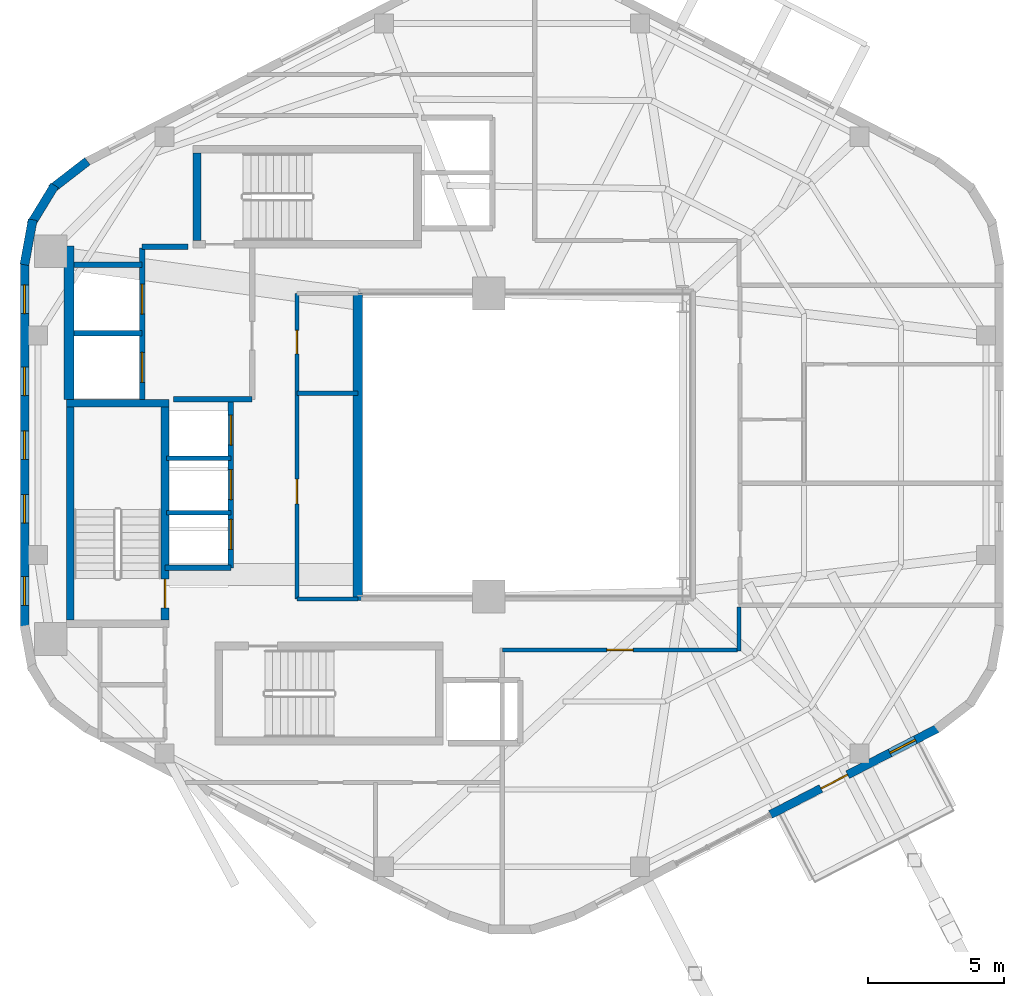
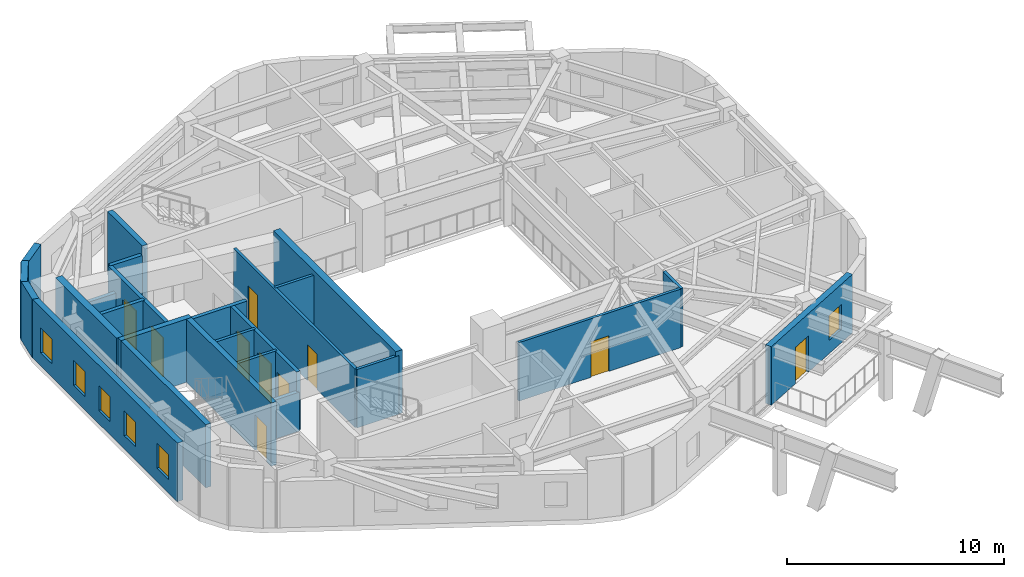
# One storey, part 7 of 10: 25 walls, 10 doors, 6 windows, 16 openings.
"""IFC4 building model written with IfcOpenShell, lengths in metres."""

from ifc_helpers import new_model, si_unit, direction, frame, frame_2d, origin, place, context, subcontext, project, spatial, rectangle, extrude, material, layer, layer_set, type_object, element, fill, save


model = new_model("IFC4")

# Units and contexts
model_context = context("Model", 3, precision=1e-05, world=origin(), true_north=direction((0.0, 1.0)))
body_context = subcontext(model_context, "Body", "Model", "MODEL_VIEW")
ifc_project = project(units=[si_unit("LENGTHUNIT", "METRE"), si_unit("AREAUNIT", "SQUARE_METRE"), si_unit("VOLUMEUNIT", "CUBIC_METRE"), si_unit("PLANEANGLEUNIT", "RADIAN"), si_unit("MASSUNIT", "GRAM", prefix="KILO"), si_unit("THERMODYNAMICTEMPERATUREUNIT", "KELVIN"), si_unit("POWERUNIT", "WATT")], contexts=[model_context])

# Site, building, storey
site_placement = place(None, origin())
site = spatial("IfcSite", under=ifc_project, at=site_placement, CompositionType="ELEMENT")
building_placement = place(site_placement, origin())
building = spatial("IfcBuilding", under=site, at=building_placement, Name="Skarre Station Tower", CompositionType="ELEMENT")
storey_placement = place(building_placement, frame((0.0, 0.0, 224.14990234375)))
storey = spatial("IfcBuildingStorey", under=building, at=storey_placement, Name="L61", CompositionType="ELEMENT", Elevation=224.14990234375)

# Wall
ifc_material_1 = material(Name="Acoustic Steel-Stud Gypsum Partition", Category="steel")
ifc_layer_1 = layer(ifc_material_1, 0.14990234375, Name="Acoustic Steel-Stud Gypsum Partition")
ifc_layer_set_1 = layer_set([ifc_layer_1], Name="Acoustic Steel-Stud Gypsum Partition")
wall_type_1 = type_object("IfcWallType", Name="Fire-Rated Corridor Acoustic Partition 150", PredefinedType="PARTITIONING", material=ifc_layer_set_1)
wall_1_placement = place(storey_placement, frame((25.320068359375, 25.89990234375, 0.0), z_axis=(0.0, 0.0, 1.0), x_axis=(1.0, 0.0, 0.0)))
element("IfcWall", 1, at=wall_1_placement, inside=storey, type_object=wall_type_1, Name="L61 Interior Partition WL-PT-L61-RC2-M", PredefinedType="PARTITIONING", context=body_context, shape_type="SweptSolid", body=[
    extrude(rectangle(XDim=2.22998046875, YDim=0.14990234375, at=frame_2d((1.114990234375, 0.0))), origin(), (0.0, 0.0, 1.0), 3.2900390625),
])

# Wall, openings, doors
wall_2_placement = place(storey_placement, frame((25.320068359375, 29.550048828125, 0.0), z_axis=(0.0, 0.0, 1.0), x_axis=(0.0, -1.0, 0.0)))
wall_2 = element("IfcWall", 2, at=wall_2_placement, inside=storey, type_object=wall_type_1, Name="L61 Interior Partition WL-PT-L61-RC2-W", PredefinedType="PARTITIONING", context=body_context, shape_type="SweptSolid", body=[
    extrude(rectangle(XDim=11.18994140625, YDim=0.14990234375, at=frame_2d((5.594970703125, 0.0))), origin(), (0.0, 0.0, 1.0), 3.2900390625),
])
opening_1_placement = place(wall_2_placement, frame((1.35009765625, 0.0, 0.0)))
opening_1 = element("IfcOpeningElement", 3, at=opening_1_placement, cuts=wall_2, Name="Opening DR-SVC86", PredefinedType="OPENING", context=body_context, shape_type="SweptSolid", body=[
    extrude(rectangle(XDim=0.860107421875, YDim=2.0, at=frame_2d((0.43017578125, 1.0))), frame((0.0, 0.0849609375, 0.0), z_axis=(0.0, -1.0, 0.0), x_axis=(1.0, 0.0, 0.0)), (0.0, 0.0, 1.0), 0.169921875),
])
opening_2_placement = place(wall_2_placement, frame((6.800048828125, 0.0, 0.0)))
opening_2 = element("IfcOpeningElement", 4, at=opening_2_placement, cuts=wall_2, Name="Opening DR-SVC90", PredefinedType="OPENING", context=body_context, shape_type="SweptSolid", body=[
    extrude(rectangle(XDim=0.89990234375, YDim=2.0, at=frame_2d((0.449951171875, 1.0))), frame((0.0, 0.0849609375, 0.0), z_axis=(0.0, -1.0, 0.0), x_axis=(1.0, 0.0, 0.0)), (0.0, 0.0, 1.0), 0.169921875),
])
ifc_material_2 = material(Name="Powder-Coated Hollow-Metal Acoustic Fire Leaf", Category="steel")
door_type_1 = type_object("IfcDoorType", Name="Compact Riser Fire Door FD60 860x2100", OperationType="SINGLE_SWING_LEFT", PredefinedType="DOOR", material=ifc_material_2)
door_1_placement = place(opening_1_placement, origin())
door_1 = element("IfcDoor", 5, at=door_1_placement, inside=storey, type_object=door_type_1, Name="L61 Music Alcove Door", OperationType="SINGLE_SWING_LEFT", OverallHeight=2.0, OverallWidth=0.860107421875, PredefinedType="DOOR", context=body_context, shape_type="SweptSolid", body=[
    extrude(rectangle(XDim=0.860107421875, YDim=2.0, at=frame_2d((0.43017578125, 1.0))), frame((0.0, 0.02490234375, 0.0), z_axis=(0.0, -1.0, 0.0), x_axis=(1.0, 0.0, 0.0)), (0.0, 0.0, 1.0), 0.050048828125),
])
fill(opening_1, door_1)
door_type_2 = type_object("IfcDoorType", Name="Service & Riser Fire Door FD60 900x2100", OperationType="SINGLE_SWING_LEFT", PredefinedType="DOOR", material=ifc_material_2)
door_2_placement = place(opening_2_placement, origin())
door_2 = element("IfcDoor", 6, at=door_2_placement, inside=storey, type_object=door_type_2, Name="L61 Tasting Pantry Door", OperationType="SINGLE_SWING_LEFT", OverallHeight=2.0, OverallWidth=0.89990234375, PredefinedType="DOOR", context=body_context, shape_type="SweptSolid", body=[
    extrude(rectangle(XDim=0.89990234375, YDim=2.0, at=frame_2d((0.449951171875, 1.0))), frame((0.0, 0.02490234375, 0.0), z_axis=(0.0, -1.0, 0.0), x_axis=(1.0, 0.0, 0.0)), (0.0, 0.0, 1.0), 0.050048828125),
])
fill(opening_2, door_2)

# Walls
wall_3_placement = place(storey_placement, frame((25.320068359375, 18.360107421875, 0.0), z_axis=(0.0, 0.0, 1.0), x_axis=(1.0, 0.0, 0.0)))
element("IfcWall", 7, at=wall_3_placement, inside=storey, type_object=wall_type_1, Name="L61 Interior Partition WL-PT-L61-RC2-S", PredefinedType="PARTITIONING", context=body_context, shape_type="SweptSolid", body=[
    extrude(rectangle(XDim=2.22998046875, YDim=0.14990234375, at=frame_2d((1.114990234375, 0.0))), origin(), (0.0, 0.0, 1.0), 3.2900390625),
])
wall_4_placement = place(storey_placement, frame((41.52001953125, 16.4599609375, 0.0), z_axis=(0.0, 0.0, 1.0), x_axis=(0.0, 1.0, 0.0)))
element("IfcWall", 8, at=wall_4_placement, inside=storey, type_object=wall_type_1, Name="L61 Interior Partition WL-PT-L61-CORR-SER", PredefinedType="PARTITIONING", context=body_context, shape_type="SweptSolid", body=[
    extrude(rectangle(XDim=1.60205078125, YDim=0.14990234375, at=frame_2d((0.801025390625, 0.0))), origin(), (0.0, 0.0, 1.0), 3.2900390625),
])

# Wall, opening, door
wall_5_placement = place(storey_placement, frame((32.85009765625, 16.5, 0.0), z_axis=(0.0, 0.0, 1.0), x_axis=(1.0, 0.0, 0.0)))
wall_5 = element("IfcWall", 9, at=wall_5_placement, inside=storey, type_object=wall_type_1, Name="L61 Interior Partition WL-PT-L61-SW1-CW", PredefinedType="PARTITIONING", context=body_context, shape_type="SweptSolid", body=[
    extrude(rectangle(XDim=8.60986328125, YDim=0.14990234375, at=frame_2d((4.304931640625, 0.0))), origin(), (0.0, 0.0, 1.0), 3.2900390625),
])
opening_3_placement = place(wall_5_placement, frame((3.824951171875, 0.0, 0.0)))
opening_3 = element("IfcOpeningElement", 10, at=opening_3_placement, cuts=wall_5, Name="Opening DR-FD60", PredefinedType="OPENING", context=body_context, shape_type="SweptSolid", body=[
    extrude(rectangle(XDim=0.9599609375, YDim=2.0, at=frame_2d((0.47998046875, 1.0))), frame((0.0, 0.0849609375, 0.0), z_axis=(0.0, -1.0, 0.0), x_axis=(1.0, 0.0, 0.0)), (0.0, 0.0, 1.0), 0.169921875),
])
ifc_material_3 = material(Name="Nordic White-Oak Veneer Solid-Core Fire Leaf", Category="wood")
door_type_3 = type_object("IfcDoorType", Name="Corridor Suite Entry Fire Door FD60 960x2150", OperationType="SINGLE_SWING_LEFT", PredefinedType="DOOR", material=ifc_material_3)
door_3_placement = place(opening_3_placement, origin())
door_3 = element("IfcDoor", 11, at=door_3_placement, inside=storey, type_object=door_type_3, Name="L61 SW1 Entry Door", OperationType="SINGLE_SWING_LEFT", OverallHeight=2.0, OverallWidth=0.9599609375, PredefinedType="DOOR", context=body_context, shape_type="SweptSolid", body=[
    extrude(rectangle(XDim=0.9599609375, YDim=2.0, at=frame_2d((0.47998046875, 1.0))), frame((0.0, 0.02490234375, 0.0), z_axis=(0.0, -1.0, 0.0), x_axis=(1.0, 0.0, 0.0)), (0.0, 0.0, 1.0), 0.050048828125),
])
fill(opening_3, door_3)

# Walls
ifc_material_4 = material(Name="Precast concrete C45/55", Category="concrete")
ifc_layer_2 = layer(ifc_material_4, 0.330078125, Name="Precast concrete C45/55")
ifc_layer_set_2 = layer_set([ifc_layer_2], Name="Precast concrete C45/55")
wall_type_2 = type_object("IfcWallType", Name="Nordic Rounded Corner Precast Wall 330", PredefinedType="STANDARD", material=ifc_layer_set_2)
wall_6_placement = place(storey_placement, frame((15.337890625, 30.60791015625, 0.0), z_axis=(0.0, 0.0, 1.0), x_axis=(0.180832605401, 0.983513888475, 0.0)))
element("IfcWall", 12, at=wall_6_placement, inside=storey, type_object=wall_type_2, Name="L61 Rounded Corner Precast Wall F2-1", PredefinedType="STANDARD", context=body_context, shape_type="SweptSolid", body=[
    extrude(rectangle(XDim=1.6767578125, YDim=0.330078125, at=frame_2d((0.83837890625, 0.0))), origin(), (0.0, 0.0, 1.0), 3.2900390625),
])
wall_7_placement = place(storey_placement, frame((15.573974609375, 32.08203125, 0.0), z_axis=(0.0, 0.0, 1.0), x_axis=(0.520325409202, 0.853968072318, 0.0)))
element("IfcWall", 13, at=wall_7_placement, inside=storey, type_object=wall_type_2, Name="L61 Rounded Corner Precast Wall F2-2", PredefinedType="STANDARD", context=body_context, shape_type="SweptSolid", body=[
    extrude(rectangle(XDim=1.677978515625, YDim=0.330078125, at=frame_2d((0.8388671875, 0.0))), origin(), (0.0, 0.0, 1.0), 3.2900390625),
])
wall_8_placement = place(storey_placement, frame((16.322021484375, 33.375, 0.0), z_axis=(0.0, 0.0, 1.0), x_axis=(0.790691856293, 0.61221433207, 0.0)))
element("IfcWall", 14, at=wall_8_placement, inside=storey, type_object=wall_type_2, Name="L61 Rounded Corner Precast Wall F2-3", PredefinedType="STANDARD", context=body_context, shape_type="SweptSolid", body=[
    extrude(rectangle(XDim=1.67578125, YDim=0.330078125, at=frame_2d((0.837890625, 0.0))), origin(), (0.0, 0.0, 1.0), 3.2900390625),
])

# Wall, openings, windows
ifc_layer_3 = layer(ifc_material_4, 0.31005859375, Name="Precast concrete C45/55")
ifc_layer_set_3 = layer_set([ifc_layer_3], Name="Precast concrete C45/55")
wall_type_3 = type_object("IfcWallType", Name="Nordic Upper-Zone Precast Facet Wall 310", PredefinedType="STANDARD", material=ifc_layer_set_3)
wall_9_placement = place(storey_placement, frame((15.342041015625, 17.298095703125, 0.0), z_axis=(0.0, 0.0, 1.0), x_axis=(0.0, 1.0, 0.0)))
wall_9 = element("IfcWall", 15, at=wall_9_placement, inside=storey, type_object=wall_type_3, Name="L61 Facet 2 Nordic Precast Masonry Wall", PredefinedType="STANDARD", context=body_context, shape_type="SweptSolid", body=[
    extrude(rectangle(XDim=13.40380859375, YDim=0.31005859375, at=frame_2d((6.701904296875, 0.0))), origin(), (0.0, 0.0, 1.0), 3.2900390625),
])
opening_4_placement = place(wall_9_placement, frame((0.8310546875, 0.0, 0.75)))
opening_4 = element("IfcOpeningElement", 16, at=opening_4_placement, cuts=wall_9, Name="Opening WN-SLT", PredefinedType="OPENING", context=body_context, shape_type="SweptSolid", body=[
    extrude(rectangle(XDim=1.050048828125, YDim=1.39990234375, at=frame_2d((0.52490234375, 0.699951171875))), frame((0.0, 0.1650390625, 0.0), z_axis=(0.0, -1.0, 0.0), x_axis=(1.0, 0.0, 0.0)), (0.0, 0.0, 1.0), 0.330078125),
])
opening_5_placement = place(wall_9_placement, frame((3.843017578125, 0.0, 0.75)))
opening_5 = element("IfcOpeningElement", 17, at=opening_5_placement, cuts=wall_9, Name="Opening WN-SLT", PredefinedType="OPENING", context=body_context, shape_type="SweptSolid", body=[
    extrude(rectangle(XDim=1.050048828125, YDim=1.39990234375, at=frame_2d((0.52490234375, 0.699951171875))), frame((0.0, 0.1650390625, 0.0), z_axis=(0.0, -1.0, 0.0), x_axis=(1.0, 0.0, 0.0)), (0.0, 0.0, 1.0), 0.330078125),
])
opening_6_placement = place(wall_9_placement, frame((6.177001953125, 0.0, 0.75)))
opening_6 = element("IfcOpeningElement", 18, at=opening_6_placement, cuts=wall_9, Name="Opening WN-SLT", PredefinedType="OPENING", context=body_context, shape_type="SweptSolid", body=[
    extrude(rectangle(XDim=1.050048828125, YDim=1.39990234375, at=frame_2d((0.52490234375, 0.699951171875))), frame((0.0, 0.1650390625, 0.0), z_axis=(0.0, -1.0, 0.0), x_axis=(1.0, 0.0, 0.0)), (0.0, 0.0, 1.0), 0.330078125),
])
opening_7_placement = place(wall_9_placement, frame((8.510986328125, 0.0, 0.75)))
opening_7 = element("IfcOpeningElement", 19, at=opening_7_placement, cuts=wall_9, Name="Opening WN-SLT", PredefinedType="OPENING", context=body_context, shape_type="SweptSolid", body=[
    extrude(rectangle(XDim=1.050048828125, YDim=1.39990234375, at=frame_2d((0.52490234375, 0.699951171875))), frame((0.0, 0.1650390625, 0.0), z_axis=(0.0, -1.0, 0.0), x_axis=(1.0, 0.0, 0.0)), (0.0, 0.0, 1.0), 0.330078125),
])
opening_8_placement = place(wall_9_placement, frame((11.52392578125, 0.0, 0.75)))
opening_8 = element("IfcOpeningElement", 20, at=opening_8_placement, cuts=wall_9, Name="Opening WN-SLT", PredefinedType="OPENING", context=body_context, shape_type="SweptSolid", body=[
    extrude(rectangle(XDim=1.050048828125, YDim=1.39990234375, at=frame_2d((0.52490234375, 0.699951171875))), frame((0.0, 0.1650390625, 0.0), z_axis=(0.0, -1.0, 0.0), x_axis=(1.0, 0.0, 0.0)), (0.0, 0.0, 1.0), 0.330078125),
])
ifc_material_5 = material(Name="Low-Iron Triple Glazing with Bronze Anodized Frame", Category="glass")
window_type = type_object("IfcWindowType", Name="Nordic Corner Slot Window 1050x1400", PartitioningType="SINGLE_PANEL", PredefinedType="WINDOW", material=ifc_material_5)
window_1_placement = place(opening_4_placement, origin())
window_1 = element("IfcWindow", 21, at=window_1_placement, inside=storey, type_object=window_type, Name="L61 Facade Window WL-FAC-L61-F2-1", OverallHeight=1.39990234375, OverallWidth=1.050048828125, PartitioningType="SINGLE_PANEL", PredefinedType="WINDOW", context=body_context, shape_type="SweptSolid", body=[
    extrude(rectangle(XDim=1.050048828125, YDim=1.39990234375, at=frame_2d((0.52490234375, 0.699951171875))), frame((0.0, 0.030029296875, 0.0), z_axis=(0.0, -1.0, 0.0), x_axis=(1.0, 0.0, 0.0)), (0.0, 0.0, 1.0), 0.06005859375),
])
fill(opening_4, window_1)
window_2_placement = place(opening_5_placement, origin())
window_2 = element("IfcWindow", 22, at=window_2_placement, inside=storey, type_object=window_type, Name="L61 Facade Window WL-FAC-L61-F2-2", OverallHeight=1.39990234375, OverallWidth=1.050048828125, PartitioningType="SINGLE_PANEL", PredefinedType="WINDOW", context=body_context, shape_type="SweptSolid", body=[
    extrude(rectangle(XDim=1.050048828125, YDim=1.39990234375, at=frame_2d((0.52490234375, 0.699951171875))), frame((0.0, 0.030029296875, 0.0), z_axis=(0.0, -1.0, 0.0), x_axis=(1.0, 0.0, 0.0)), (0.0, 0.0, 1.0), 0.06005859375),
])
fill(opening_5, window_2)
window_3_placement = place(opening_6_placement, origin())
window_3 = element("IfcWindow", 23, at=window_3_placement, inside=storey, type_object=window_type, Name="L61 Facade Window WL-FAC-L61-F2-3", OverallHeight=1.39990234375, OverallWidth=1.050048828125, PartitioningType="SINGLE_PANEL", PredefinedType="WINDOW", context=body_context, shape_type="SweptSolid", body=[
    extrude(rectangle(XDim=1.050048828125, YDim=1.39990234375, at=frame_2d((0.52490234375, 0.699951171875))), frame((0.0, 0.030029296875, 0.0), z_axis=(0.0, -1.0, 0.0), x_axis=(1.0, 0.0, 0.0)), (0.0, 0.0, 1.0), 0.06005859375),
])
fill(opening_6, window_3)
window_4_placement = place(opening_7_placement, origin())
window_4 = element("IfcWindow", 24, at=window_4_placement, inside=storey, type_object=window_type, Name="L61 Facade Window WL-FAC-L61-F2-4", OverallHeight=1.39990234375, OverallWidth=1.050048828125, PartitioningType="SINGLE_PANEL", PredefinedType="WINDOW", context=body_context, shape_type="SweptSolid", body=[
    extrude(rectangle(XDim=1.050048828125, YDim=1.39990234375, at=frame_2d((0.52490234375, 0.699951171875))), frame((0.0, 0.030029296875, 0.0), z_axis=(0.0, -1.0, 0.0), x_axis=(1.0, 0.0, 0.0)), (0.0, 0.0, 1.0), 0.06005859375),
])
fill(opening_7, window_4)
window_5_placement = place(opening_8_placement, origin())
window_5 = element("IfcWindow", 25, at=window_5_placement, inside=storey, type_object=window_type, Name="L61 Facade Window WL-FAC-L61-F2-5", OverallHeight=1.39990234375, OverallWidth=1.050048828125, PartitioningType="SINGLE_PANEL", PredefinedType="WINDOW", context=body_context, shape_type="SweptSolid", body=[
    extrude(rectangle(XDim=1.050048828125, YDim=1.39990234375, at=frame_2d((0.52490234375, 0.699951171875))), frame((0.0, 0.030029296875, 0.0), z_axis=(0.0, -1.0, 0.0), x_axis=(1.0, 0.0, 0.0)), (0.0, 0.0, 1.0), 0.06005859375),
])
fill(opening_8, window_5)

# Wall, openings, window, door
wall_10_placement = place(storey_placement, frame((48.833984375, 13.64599609375, 0.0), z_axis=(0.0, 0.0, 1.0), x_axis=(-0.888622971019, -0.458638436437, 0.0)))
wall_10 = element("IfcWall", 26, at=wall_10_placement, inside=storey, type_object=wall_type_3, Name="L61 Facet 4 Pier A", PredefinedType="STANDARD", context=body_context, shape_type="SweptSolid", body=[
    extrude(rectangle(XDim=6.935546875, YDim=0.31005859375, at=frame_2d((3.4677734375, 0.0))), origin(), (0.0, 0.0, 1.0), 3.2900390625),
])
opening_9_placement = place(wall_10_placement, frame((3.756103515625, 0.0, 0.0)))
opening_9 = element("IfcOpeningElement", 27, at=opening_9_placement, cuts=wall_10, Name="Opening DR-BAL110", PredefinedType="OPENING", context=body_context, shape_type="SweptSolid", body=[
    extrude(rectangle(XDim=1.10009765625, YDim=2.0400390625, at=frame_2d((0.550048828125, 1.02001953125))), frame((0.0, 0.1650390625, 0.0), z_axis=(0.0, -1.0, 0.0), x_axis=(1.0, 0.0, 0.0)), (0.0, 0.0, 1.0), 0.330078125),
])
opening_10_placement = place(wall_10_placement, frame((0.9619140625, 0.0, 0.75)))
opening_10 = element("IfcOpeningElement", 28, at=opening_10_placement, cuts=wall_10, Name="Opening WN-SLT", PredefinedType="OPENING", context=body_context, shape_type="SweptSolid", body=[
    extrude(rectangle(XDim=1.050048828125, YDim=1.39990234375, at=frame_2d((0.52490234375, 0.699951171875))), frame((0.0, 0.1650390625, 0.0), z_axis=(0.0, -1.0, 0.0), x_axis=(1.0, 0.0, 0.0)), (0.0, 0.0, 1.0), 0.330078125),
])
window_6_placement = place(opening_10_placement, origin())
window_6 = element("IfcWindow", 29, at=window_6_placement, inside=storey, type_object=window_type, Name="L61 Facade Window WL-FAC-L61-F4A-1", OverallHeight=1.39990234375, OverallWidth=1.050048828125, PartitioningType="SINGLE_PANEL", PredefinedType="WINDOW", context=body_context, shape_type="SweptSolid", body=[
    extrude(rectangle(XDim=1.050048828125, YDim=1.39990234375, at=frame_2d((0.52490234375, 0.699951171875))), frame((0.0, 0.030029296875, 0.0), z_axis=(0.0, -1.0, 0.0), x_axis=(1.0, 0.0, 0.0)), (0.0, 0.0, 1.0), 0.06005859375),
])
fill(opening_10, window_6)
ifc_material_6 = material(Name="Thermally Broken Aluminium & Triple Glazing", Category="aluminium")
door_type_4 = type_object("IfcDoorType", Name="Terrace & Tree-Balcony Glazed Door 1100x2200", OperationType="SINGLE_SWING_LEFT", PredefinedType="DOOR", material=ifc_material_6)
door_4_placement = place(opening_9_placement, origin())
door_4 = element("IfcDoor", 30, at=door_4_placement, inside=storey, type_object=door_type_4, Name="L61 SG-3 Conservatory Terrace Door", OperationType="SINGLE_SWING_LEFT", OverallHeight=2.0400390625, OverallWidth=1.10009765625, PredefinedType="DOOR", context=body_context, shape_type="SweptSolid", body=[
    extrude(rectangle(XDim=1.10009765625, YDim=2.0400390625, at=frame_2d((0.550048828125, 1.02001953125))), frame((0.0, 0.02490234375, 0.0), z_axis=(0.0, -1.0, 0.0), x_axis=(1.0, 0.0, 0.0)), (0.0, 0.0, 1.0), 0.050048828125),
])
fill(opening_9, door_4)

# Walls
ifc_material_7 = material(Name="Concrete C50/60", Category="concrete")
ifc_layer_4 = layer(ifc_material_7, 0.280029296875, Name="Concrete C50/60")
ifc_layer_set_4 = layer_set([ifc_layer_4], Name="Concrete C50/60")
wall_type_4 = type_object("IfcWallType", Name="RC Core Shear Wall 280", PredefinedType="SHEAR", material=ifc_layer_set_4)
wall_11_placement = place(storey_placement, frame((20.6298828125, 25.5400390625, 0.0), z_axis=(0.0, 0.0, 1.0), x_axis=(-1.0, 0.0, 0.0)))
element("IfcWall", 31, at=wall_11_placement, inside=storey, type_object=wall_type_4, Name="L61 Stair ST-1 North Shear Wall", PredefinedType="SHEAR", context=body_context, shape_type="SweptSolid", body=[
    extrude(rectangle(XDim=3.759765625, YDim=0.280029296875, at=frame_2d((1.8798828125, 0.0))), origin(), (0.0, 0.0, 1.0), 3.550048828125),
])
wall_12_placement = place(storey_placement, frame((17.010009765625, 25.39990234375, 0.0), z_axis=(0.0, 0.0, 1.0), x_axis=(0.0, -1.0, 0.0)))
element("IfcWall", 32, at=wall_12_placement, inside=storey, type_object=wall_type_4, Name="L61 Stair ST-1 West Shear Wall", PredefinedType="SHEAR", context=body_context, shape_type="SweptSolid", body=[
    extrude(rectangle(XDim=7.7998046875, YDim=0.280029296875, at=frame_2d((3.89990234375, 0.0))), origin(), (0.0, 0.0, 1.0), 3.550048828125),
])

# Wall, opening, door
wall_13_placement = place(storey_placement, frame((20.489990234375, 17.60009765625, 0.0), z_axis=(0.0, 0.0, 1.0), x_axis=(0.0, 1.0, 0.0)))
wall_13 = element("IfcWall", 33, at=wall_13_placement, inside=storey, type_object=wall_type_4, Name="L61 Stair ST-1 East Shear Wall", PredefinedType="SHEAR", context=body_context, shape_type="SweptSolid", body=[
    extrude(rectangle(XDim=7.7998046875, YDim=0.280029296875, at=frame_2d((3.89990234375, 0.0))), origin(), (0.0, 0.0, 1.0), 3.550048828125),
])
opening_11_placement = place(wall_13_placement, frame((0.43994140625, 0.0, 0.0)))
opening_11 = element("IfcOpeningElement", 34, at=opening_11_placement, cuts=wall_13, Name="Opening DR-FD90", PredefinedType="OPENING", context=body_context, shape_type="SweptSolid", body=[
    extrude(rectangle(XDim=1.050048828125, YDim=2.0, at=frame_2d((0.52490234375, 1.0))), frame((0.0, 0.14990234375, 0.0), z_axis=(0.0, -1.0, 0.0), x_axis=(1.0, 0.0, 0.0)), (0.0, 0.0, 1.0), 0.300048828125),
])
ifc_material_8 = material(Name="Fire-Rated Insulated Steel Frame & Timber Core Leaf", Category="steel")
door_type_5 = type_object("IfcDoorType", Name="Stair & FSAE Lobby Fire Door FD90 1050x2150", OperationType="SINGLE_SWING_RIGHT", PredefinedType="DOOR", material=ifc_material_8)
door_5_placement = place(opening_11_placement, origin())
door_5 = element("IfcDoor", 35, at=door_5_placement, inside=storey, type_object=door_type_5, Name="L61 Stair ST-1 Exit Door", OperationType="SINGLE_SWING_RIGHT", OverallHeight=2.0, OverallWidth=1.050048828125, PredefinedType="DOOR", context=body_context, shape_type="SweptSolid", body=[
    extrude(rectangle(XDim=1.050048828125, YDim=2.0, at=frame_2d((0.52490234375, 1.0))), frame((0.0, 0.02490234375, 0.0), z_axis=(0.0, -1.0, 0.0), x_axis=(1.0, 0.0, 0.0)), (0.0, 0.0, 1.0), 0.050048828125),
])
fill(opening_11, door_5)

# Walls
wall_14_placement = place(storey_placement, frame((21.659912109375, 34.699951171875, 0.0), z_axis=(0.0, 0.0, 1.0), x_axis=(0.0, -1.0, 0.0)))
element("IfcWall", 36, at=wall_14_placement, inside=storey, type_object=wall_type_4, Name="L61 Stair ST-3 West Shear Wall", PredefinedType="SHEAR", context=body_context, shape_type="SweptSolid", body=[
    extrude(rectangle(XDim=3.199951171875, YDim=0.280029296875, at=frame_2d((1.60009765625, 0.0))), origin(), (0.0, 0.0, 1.0), 3.550048828125),
])
ifc_layer_5 = layer(ifc_material_7, 0.360107421875, Name="Concrete C50/60")
ifc_layer_set_5 = layer_set([ifc_layer_5], Name="Concrete C50/60")
wall_type_5 = type_object("IfcWallType", Name="RC Core Shear Wall 360", PredefinedType="SHEAR", material=ifc_layer_set_5)
wall_15_placement = place(storey_placement, frame((16.969970703125, 25.679931640625, 0.0), z_axis=(0.0, 0.0, 1.0), x_axis=(0.0, 1.0, 0.0)))
element("IfcWall", 37, at=wall_15_placement, inside=storey, type_object=wall_type_5, Name="L61 Core West-North Shear Wall", PredefinedType="SHEAR", context=body_context, shape_type="SweptSolid", body=[
    extrude(rectangle(XDim=5.6201171875, YDim=0.360107421875, at=frame_2d((2.81005859375, 0.0))), origin(), (0.0, 0.0, 1.0), 3.550048828125),
])
wall_16_placement = place(storey_placement, frame((27.550048828125, 29.550048828125, 0.0), z_axis=(0.0, 0.0, 1.0), x_axis=(0.0, -1.0, 0.0)))
element("IfcWall", 38, at=wall_16_placement, inside=storey, type_object=wall_type_5, Name="L61 Core East Atrium Shear Wall", PredefinedType="SHEAR", context=body_context, shape_type="SweptSolid", body=[
    extrude(rectangle(XDim=11.25, YDim=0.360107421875, at=frame_2d((5.625, 0.0))), origin(), (0.0, 0.0, 1.0), 3.550048828125),
])

# Wall, openings, doors
ifc_material_9 = material(Name="Gypsum Concrete Shaft Assembly C30/37", Category="concrete")
ifc_layer_6 = layer(ifc_material_9, 0.199951171875, Name="Gypsum Concrete Shaft Assembly C30/37")
ifc_layer_set_6 = layer_set([ifc_layer_6], Name="Gypsum Concrete Shaft Assembly C30/37")
wall_type_6 = type_object("IfcWallType", Name="Shaft & Core Fire Partition 200", PredefinedType="PARTITIONING", material=ifc_layer_set_6)
wall_17_placement = place(storey_placement, frame((19.64990234375, 25.679931640625, 0.0), z_axis=(0.0, 0.0, 1.0), x_axis=(0.0, 1.0, 0.0)))
wall_17 = element("IfcWall", 39, at=wall_17_placement, inside=storey, type_object=wall_type_6, Name="L61 Interior Partition WL-PT-L61-FSAE-W", PredefinedType="PARTITIONING", context=body_context, shape_type="SweptSolid", body=[
    extrude(rectangle(XDim=5.5400390625, YDim=0.199951171875, at=frame_2d((2.77001953125, 0.0))), origin(), (0.0, 0.0, 1.0), 3.2900390625),
])
opening_12_placement = place(wall_17_placement, frame((0.6201171875, 0.0, 0.0)))
opening_12 = element("IfcOpeningElement", 40, at=opening_12_placement, cuts=wall_17, Name="Opening LD-FF1", PredefinedType="OPENING", context=body_context, shape_type="SweptSolid", body=[
    extrude(rectangle(XDim=1.10009765625, YDim=2.199951171875, at=frame_2d((0.550048828125, 1.10009765625))), frame((0.0, 0.10986328125, 0.0), z_axis=(0.0, -1.0, 0.0), x_axis=(1.0, 0.0, 0.0)), (0.0, 0.0, 1.0), 0.219970703125),
])
opening_13_placement = place(wall_17_placement, frame((3.1201171875, 0.0, 0.0)))
opening_13 = element("IfcOpeningElement", 41, at=opening_13_placement, cuts=wall_17, Name="Opening LD-FF2", PredefinedType="OPENING", context=body_context, shape_type="SweptSolid", body=[
    extrude(rectangle(XDim=1.10009765625, YDim=2.199951171875, at=frame_2d((0.550048828125, 1.10009765625))), frame((0.0, 0.10986328125, 0.0), z_axis=(0.0, -1.0, 0.0), x_axis=(1.0, 0.0, 0.0)), (0.0, 0.0, 1.0), 0.219970703125),
])
ifc_material_10 = material(Name="Fire-Rated Stainless Steel Grade 316L Sliding Leaves", Category="steel")
door_type_6 = type_object("IfcDoorType", Name="Fire Service Access Elevator Sliding Landing Door 1100x2200", OperationType="SLIDING_TO_LEFT", PredefinedType="DOOR", material=ifc_material_10)
door_6_placement = place(opening_12_placement, origin())
door_6 = element("IfcDoor", 42, at=door_6_placement, inside=storey, type_object=door_type_6, Name="L61 Firefighting Lift LF-FF1 Landing Door", OperationType="SLIDING_TO_LEFT", OverallHeight=2.199951171875, OverallWidth=1.10009765625, PredefinedType="DOOR", context=body_context, shape_type="SweptSolid", body=[
    extrude(rectangle(XDim=1.10009765625, YDim=2.199951171875, at=frame_2d((0.550048828125, 1.10009765625))), frame((0.0, 0.02490234375, 0.0), z_axis=(0.0, -1.0, 0.0), x_axis=(1.0, 0.0, 0.0)), (0.0, 0.0, 1.0), 0.050048828125),
])
fill(opening_12, door_6)
door_7_placement = place(opening_13_placement, origin())
door_7 = element("IfcDoor", 43, at=door_7_placement, inside=storey, type_object=door_type_6, Name="L61 Firefighting Lift LF-FF2 Landing Door", OperationType="SLIDING_TO_LEFT", OverallHeight=2.199951171875, OverallWidth=1.10009765625, PredefinedType="DOOR", context=body_context, shape_type="SweptSolid", body=[
    extrude(rectangle(XDim=1.10009765625, YDim=2.199951171875, at=frame_2d((0.550048828125, 1.10009765625))), frame((0.0, 0.02490234375, 0.0), z_axis=(0.0, -1.0, 0.0), x_axis=(1.0, 0.0, 0.0)), (0.0, 0.0, 1.0), 0.050048828125),
])
fill(opening_13, door_7)

# Walls
wall_18_placement = place(storey_placement, frame((20.79296875, 25.679931640625, 0.0), z_axis=(0.0, 0.0, 1.0), x_axis=(1.0, 0.0, 0.0)))
element("IfcWall", 44, at=wall_18_placement, inside=storey, type_object=wall_type_6, Name="L61 Interior Partition WL-PT-L61-FSAE-S", PredefinedType="PARTITIONING", context=body_context, shape_type="SweptSolid", body=[
    extrude(rectangle(XDim=2.886962890625, YDim=0.199951171875, at=frame_2d((1.443359375, 0.0))), origin(), (0.0, 0.0, 1.0), 3.2900390625),
])
wall_19_placement = place(storey_placement, frame((21.330078125, 31.260009765625, 0.0), z_axis=(0.0, 0.0, 1.0), x_axis=(-1.0, 0.0, 0.0)))
element("IfcWall", 45, at=wall_19_placement, inside=storey, type_object=wall_type_6, Name="L61 Interior Partition WL-PT-L61-FSAE-N", PredefinedType="PARTITIONING", context=body_context, shape_type="SweptSolid", body=[
    extrude(rectangle(XDim=1.68017578125, YDim=0.199951171875, at=frame_2d((0.840087890625, 0.0))), origin(), (0.0, 0.0, 1.0), 3.2900390625),
])
wall_20_placement = place(storey_placement, frame((17.14990234375, 28.10009765625, 0.0), z_axis=(0.0, 0.0, 1.0), x_axis=(1.0, 0.0, 0.0)))
element("IfcWall", 46, at=wall_20_placement, inside=storey, type_object=wall_type_6, Name="L61 Interior Partition WL-PT-L61-FF-DIV", PredefinedType="PARTITIONING", context=body_context, shape_type="SweptSolid", body=[
    extrude(rectangle(XDim=2.5, YDim=0.199951171875, at=frame_2d((1.25, 0.0))), origin(), (0.0, 0.0, 1.0), 3.2900390625),
])
wall_21_placement = place(storey_placement, frame((19.64990234375, 30.60009765625, 0.0), z_axis=(0.0, 0.0, 1.0), x_axis=(-1.0, 0.0, 0.0)))
element("IfcWall", 47, at=wall_21_placement, inside=storey, type_object=wall_type_6, Name="L61 Interior Partition WL-PT-L61-FF-N", PredefinedType="PARTITIONING", context=body_context, shape_type="SweptSolid", body=[
    extrude(rectangle(XDim=2.5, YDim=0.199951171875, at=frame_2d((1.25, 0.0))), origin(), (0.0, 0.0, 1.0), 2.190185546875),
])

# Wall, openings, doors
wall_22_placement = place(storey_placement, frame((22.89990234375, 19.5, 0.0), z_axis=(0.0, 0.0, 1.0), x_axis=(0.0, 1.0, 0.0)))
wall_22 = element("IfcWall", 48, at=wall_22_placement, inside=storey, type_object=wall_type_6, Name="L61 Interior Partition WL-PT-L61-B3-E", PredefinedType="PARTITIONING", context=body_context, shape_type="SweptSolid", body=[
    extrude(rectangle(XDim=6.0849609375, YDim=0.199951171875, at=frame_2d((3.04248046875, 0.0))), origin(), (0.0, 0.0, 1.0), 3.2900390625),
])
opening_14_placement = place(wall_22_placement, frame((0.679931640625, 0.0, 0.0)))
opening_14 = element("IfcOpeningElement", 49, at=opening_14_placement, cuts=wall_22, Name="Opening LD-P7", PredefinedType="OPENING", context=body_context, shape_type="SweptSolid", body=[
    extrude(rectangle(XDim=1.10009765625, YDim=2.199951171875, at=frame_2d((0.550048828125, 1.10009765625))), frame((0.0, 0.10986328125, 0.0), z_axis=(0.0, -1.0, 0.0), x_axis=(1.0, 0.0, 0.0)), (0.0, 0.0, 1.0), 0.219970703125),
])
opening_15_placement = place(wall_22_placement, frame((2.5, 0.0, 0.0)))
opening_15 = element("IfcOpeningElement", 50, at=opening_15_placement, cuts=wall_22, Name="Opening LD-P8", PredefinedType="OPENING", context=body_context, shape_type="SweptSolid", body=[
    extrude(rectangle(XDim=1.10009765625, YDim=2.199951171875, at=frame_2d((0.550048828125, 1.10009765625))), frame((0.0, 0.10986328125, 0.0), z_axis=(0.0, -1.0, 0.0), x_axis=(1.0, 0.0, 0.0)), (0.0, 0.0, 1.0), 0.219970703125),
])
opening_16_placement = place(wall_22_placement, frame((4.5, 0.0, 0.0)))
opening_16 = element("IfcOpeningElement", 51, at=opening_16_placement, cuts=wall_22, Name="Opening LD-P9", PredefinedType="OPENING", context=body_context, shape_type="SweptSolid", body=[
    extrude(rectangle(XDim=1.10009765625, YDim=2.199951171875, at=frame_2d((0.550048828125, 1.10009765625))), frame((0.0, 0.10986328125, 0.0), z_axis=(0.0, -1.0, 0.0), x_axis=(1.0, 0.0, 0.0)), (0.0, 0.0, 1.0), 0.219970703125),
])
ifc_material_11 = material(Name="Brushed Bronze Stainless Steel Sliding Leaves", Category="steel")
door_type_7 = type_object("IfcDoorType", Name="Passenger Elevator Center-Parting Sliding Door 1100x2200", OperationType="SLIDING_TO_LEFT", PredefinedType="DOOR", material=ifc_material_11)
door_8_placement = place(opening_14_placement, origin())
door_8 = element("IfcDoor", 52, at=door_8_placement, inside=storey, type_object=door_type_7, Name="L61 Passenger Lift LF-P7 Landing Door", OperationType="SLIDING_TO_LEFT", OverallHeight=2.199951171875, OverallWidth=1.10009765625, PredefinedType="DOOR", context=body_context, shape_type="SweptSolid", body=[
    extrude(rectangle(XDim=1.10009765625, YDim=2.199951171875, at=frame_2d((0.550048828125, 1.10009765625))), frame((0.0, 0.02490234375, 0.0), z_axis=(0.0, -1.0, 0.0), x_axis=(1.0, 0.0, 0.0)), (0.0, 0.0, 1.0), 0.050048828125),
])
fill(opening_14, door_8)
door_9_placement = place(opening_15_placement, origin())
door_9 = element("IfcDoor", 53, at=door_9_placement, inside=storey, type_object=door_type_7, Name="L61 Passenger Lift LF-P8 Landing Door", OperationType="SLIDING_TO_LEFT", OverallHeight=2.199951171875, OverallWidth=1.10009765625, PredefinedType="DOOR", context=body_context, shape_type="SweptSolid", body=[
    extrude(rectangle(XDim=1.10009765625, YDim=2.199951171875, at=frame_2d((0.550048828125, 1.10009765625))), frame((0.0, 0.02490234375, 0.0), z_axis=(0.0, -1.0, 0.0), x_axis=(1.0, 0.0, 0.0)), (0.0, 0.0, 1.0), 0.050048828125),
])
fill(opening_15, door_9)
door_10_placement = place(opening_16_placement, origin())
door_10 = element("IfcDoor", 54, at=door_10_placement, inside=storey, type_object=door_type_7, Name="L61 Passenger Lift LF-P9 Landing Door", OperationType="SLIDING_TO_LEFT", OverallHeight=2.199951171875, OverallWidth=1.10009765625, PredefinedType="DOOR", context=body_context, shape_type="SweptSolid", body=[
    extrude(rectangle(XDim=1.10009765625, YDim=2.199951171875, at=frame_2d((0.550048828125, 1.10009765625))), frame((0.0, 0.02490234375, 0.0), z_axis=(0.0, -1.0, 0.0), x_axis=(1.0, 0.0, 0.0)), (0.0, 0.0, 1.0), 0.050048828125),
])
fill(opening_16, door_10)

# Walls
wall_23_placement = place(storey_placement, frame((20.489990234375, 19.5, 0.0), z_axis=(0.0, 0.0, 1.0), x_axis=(1.0, 0.0, 0.0)))
element("IfcWall", 55, at=wall_23_placement, inside=storey, type_object=wall_type_6, Name="L61 Interior Partition WL-PT-L61-B3-S", PredefinedType="PARTITIONING", context=body_context, shape_type="SweptSolid", body=[
    extrude(rectangle(XDim=2.409912109375, YDim=0.199951171875, at=frame_2d((1.205078125, 0.0))), origin(), (0.0, 0.0, 1.0), 2.190185546875),
])
for number, where, z_axis, x_axis, name in (
    (56, (20.550048828125, 21.52001953125, 0.0), (0.0, 0.0, 1.0), (1.0, 0.0, 0.0), "L61 Interior Partition WL-PT-L61-B3-D1"),
    (57, (20.550048828125, 23.52001953125, 0.0), (0.0, 0.0, 1.0), (1.0, 0.0, 0.0), "L61 Interior Partition WL-PT-L61-B3-D2"),
):
    element("IfcWall", number, at=place(storey_placement, frame(where, z_axis=z_axis, x_axis=x_axis)), inside=storey, type_object=wall_type_6, Name=name, PredefinedType="PARTITIONING", context=body_context, shape_type="SweptSolid", body=[
        extrude(rectangle(XDim=2.349853515625, YDim=0.159912109375, at=frame_2d((1.1748046875, 0.0))), origin(), (0.0, 0.0, 1.0), 3.2900390625),
    ])

save(model, "model.ifc")
